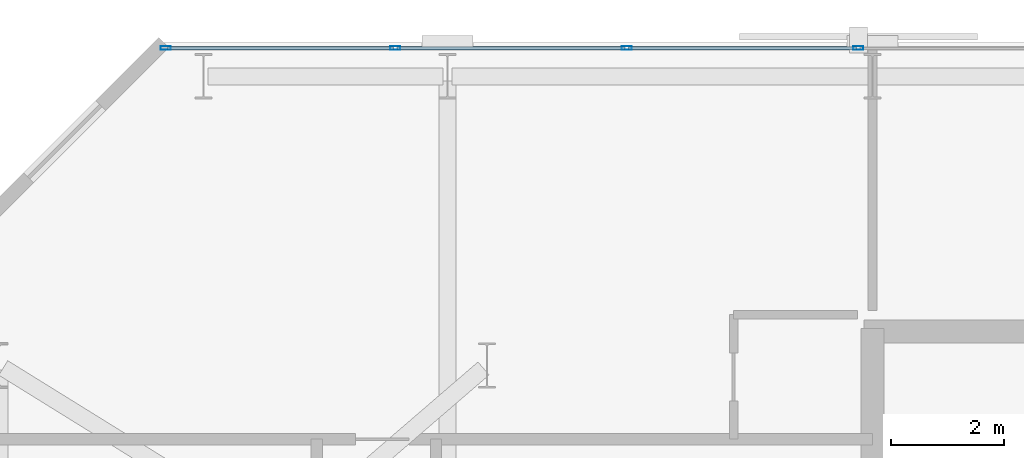
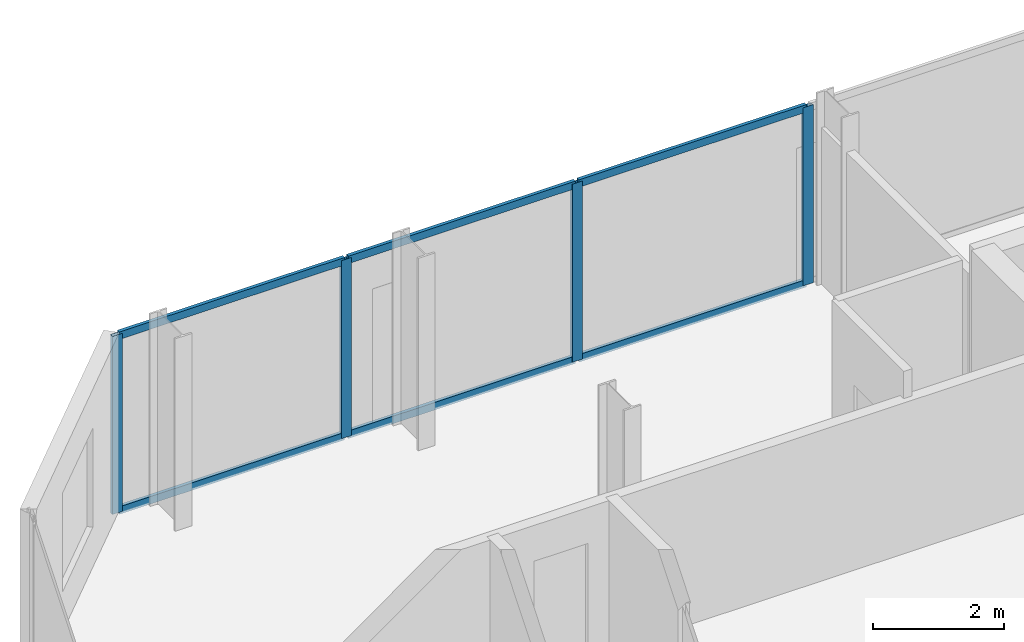
# One storey, part 21 of 32: 10 members, 1 element without a shape of its own.
"""IFC4 building model written with IfcOpenShell, lengths in metres."""

from ifc_helpers import new_model, si_unit, direction, frame, origin, origin_2d, place, context, subcontext, project, spatial, hollow_rectangle, extrude, material, layer, layer_set, material_profile, profile_set, type_object, element, aggregate, save


model = new_model("IFC4")

# Units and contexts
model_context = context("Model", 3, precision=1e-05, world=origin(), true_north=direction((0.0, 1.0)))
body_context = subcontext(model_context, "Body", "Model", "MODEL_VIEW")
ifc_project = project(units=[si_unit("LENGTHUNIT", "METRE"), si_unit("AREAUNIT", "SQUARE_METRE"), si_unit("VOLUMEUNIT", "CUBIC_METRE"), si_unit("PLANEANGLEUNIT", "RADIAN"), si_unit("MASSUNIT", "GRAM", prefix="KILO")], contexts=[model_context])

# Site, building, storey
site_placement = place(None, origin())
site = spatial("IfcSite", under=ifc_project, at=site_placement, CompositionType="ELEMENT")
building_placement = place(site_placement, origin())
building = spatial("IfcBuilding", under=site, at=building_placement, Name="Catumbela Crestline Tower", CompositionType="ELEMENT")
storey_placement = place(building_placement, frame((0.0, 0.0, 61.8)))
storey = spatial("IfcBuildingStorey", under=building, at=storey_placement, Name="L15", CompositionType="ELEMENT", Elevation=61.8)

# Curtain wall, members
ifc_material = material(Name="Aluminium alloy AW-6060-T66", Category="aluminium")
ifc_layer = layer(ifc_material, 0.18, Name="Aluminium alloy AW-6060-T66")
ifc_layer_set = layer_set([ifc_layer], Name="Aluminium alloy AW-6060-T66")
curtain_wall_type = type_object("IfcCurtainWallType", Name="CWU-Z1", PredefinedType="USERDEFINED", material=ifc_layer_set)
curtain_wall_placement = place(storey_placement, origin())
curtain_wall = element("IfcCurtainWall", 1, at=curtain_wall_placement, inside=storey, type_object=curtain_wall_type, Name="L15 Unitised Curtain Wall CW-L15-E7S1", ObjectType="UNITISED", PredefinedType="USERDEFINED")
ifc_material_profile_1 = material_profile(ifc_material, hollow_rectangle(XDim=0.065, YDim=0.18, WallThickness=0.004, at=origin_2d()), Name="ALU 180x65x4")
ifc_profile_set_1 = profile_set([ifc_material_profile_1], Name="Aluminium alloy AW-6060-T66")
member_type_1 = type_object("IfcMemberType", Name="MUL-180X65", PredefinedType="MULLION", material=ifc_profile_set_1)
member_1_placement = place(storey_placement, frame((15.75, 47.9, 0.0), z_axis=(0.0, 0.0, 1.0), x_axis=(0.0, -1.0, 0.0)))
member_1 = element("IfcMember", 2, at=member_1_placement, type_object=member_type_1, Name="CWU-Z1 mullion 10", PredefinedType="MULLION", context=body_context, shape_type="SweptSolid", body=[
    extrude(hollow_rectangle(XDim=0.065, YDim=0.18, WallThickness=0.004, at=origin_2d()), origin(), (0.0, 0.0, 1.0), 3.33),
])
member_2_placement = place(storey_placement, frame((11.6667, 47.9, 0.0), z_axis=(0.0, 0.0, 1.0), x_axis=(0.0, -1.0, 0.0)))
member_2 = element("IfcMember", 3, at=member_2_placement, type_object=member_type_1, Name="CWU-Z1 mullion 11", PredefinedType="MULLION", context=body_context, shape_type="SweptSolid", body=[
    extrude(hollow_rectangle(XDim=0.065, YDim=0.18, WallThickness=0.004, at=origin_2d()), origin(), (0.0, 0.0, 1.0), 3.33),
])
member_3_placement = place(storey_placement, frame((7.5833, 47.9, 0.0), z_axis=(0.0, 0.0, 1.0), x_axis=(0.0, -1.0, 0.0)))
member_3 = element("IfcMember", 4, at=member_3_placement, type_object=member_type_1, Name="CWU-Z1 mullion 12", PredefinedType="MULLION", context=body_context, shape_type="SweptSolid", body=[
    extrude(hollow_rectangle(XDim=0.065, YDim=0.18, WallThickness=0.004, at=origin_2d()), origin(), (0.0, 0.0, 1.0), 3.33),
])
member_4_placement = place(storey_placement, frame((3.5325, 47.9, 0.0), z_axis=(0.0, 0.0, 1.0), x_axis=(0.0, -1.0, 0.0)))
member_4 = element("IfcMember", 5, at=member_4_placement, type_object=member_type_1, Name="CWU-Z1 mullion 13", PredefinedType="MULLION", context=body_context, shape_type="SweptSolid", body=[
    extrude(hollow_rectangle(XDim=0.065, YDim=0.18, WallThickness=0.004, at=origin_2d()), origin(), (0.0, 0.0, 1.0), 3.33),
])
ifc_material_profile_2 = material_profile(ifc_material, hollow_rectangle(XDim=0.06, YDim=0.14, WallThickness=0.004, at=origin_2d()), Name="ALU 140x60x4")
ifc_profile_set_2 = profile_set([ifc_material_profile_2], Name="Aluminium alloy AW-6060-T66")
member_type_2 = type_object("IfcMemberType", Name="TRN-140X60", PredefinedType="USERDEFINED", material=ifc_profile_set_2)
member_5_placement = place(storey_placement, frame((15.7175, 47.9, 0.03), z_axis=(-1.0, 0.0, 0.0), x_axis=(0.0, -1.0, 0.0)))
member_5 = element("IfcMember", 6, at=member_5_placement, type_object=member_type_2, Name="CWU-Z1 transom 10.1", ObjectType="TRANSOM", PredefinedType="USERDEFINED", context=body_context, shape_type="SweptSolid", body=[
    extrude(hollow_rectangle(XDim=0.06, YDim=0.14, WallThickness=0.004, at=origin_2d()), origin(), (0.0, 0.0, 1.0), 4.0183),
])
member_6_placement = place(storey_placement, frame((15.7175, 47.9, 3.3), z_axis=(-1.0, 0.0, 0.0), x_axis=(0.0, -1.0, 0.0)))
member_6 = element("IfcMember", 7, at=member_6_placement, type_object=member_type_2, Name="CWU-Z1 transom 10.2", ObjectType="TRANSOM", PredefinedType="USERDEFINED", context=body_context, shape_type="SweptSolid", body=[
    extrude(hollow_rectangle(XDim=0.06, YDim=0.14, WallThickness=0.004, at=origin_2d()), origin(), (0.0, 0.0, 1.0), 4.0183),
])
member_7_placement = place(storey_placement, frame((11.6342, 47.9, 0.03), z_axis=(-1.0, 0.0, 0.0), x_axis=(0.0, -1.0, 0.0)))
member_7 = element("IfcMember", 8, at=member_7_placement, type_object=member_type_2, Name="CWU-Z1 transom 11.1", ObjectType="TRANSOM", PredefinedType="USERDEFINED", context=body_context, shape_type="SweptSolid", body=[
    extrude(hollow_rectangle(XDim=0.06, YDim=0.14, WallThickness=0.004, at=origin_2d()), origin(), (0.0, 0.0, 1.0), 4.0184),
])
member_8_placement = place(storey_placement, frame((11.6342, 47.9, 3.3), z_axis=(-1.0, 0.0, 0.0), x_axis=(0.0, -1.0, 0.0)))
member_8 = element("IfcMember", 9, at=member_8_placement, type_object=member_type_2, Name="CWU-Z1 transom 11.2", ObjectType="TRANSOM", PredefinedType="USERDEFINED", context=body_context, shape_type="SweptSolid", body=[
    extrude(hollow_rectangle(XDim=0.06, YDim=0.14, WallThickness=0.004, at=origin_2d()), origin(), (0.0, 0.0, 1.0), 4.0184),
])
member_9_placement = place(storey_placement, frame((7.5508, 47.9, 0.03), z_axis=(-1.0, 0.0, 0.0), x_axis=(0.0, -1.0, 0.0)))
member_9 = element("IfcMember", 10, at=member_9_placement, type_object=member_type_2, Name="CWU-Z1 transom 12.1", ObjectType="TRANSOM", PredefinedType="USERDEFINED", context=body_context, shape_type="SweptSolid", body=[
    extrude(hollow_rectangle(XDim=0.06, YDim=0.14, WallThickness=0.004, at=origin_2d()), origin(), (0.0, 0.0, 1.0), 3.9858),
])
member_10_placement = place(storey_placement, frame((7.5508, 47.9, 3.3), z_axis=(-1.0, 0.0, 0.0), x_axis=(0.0, -1.0, 0.0)))
member_10 = element("IfcMember", 11, at=member_10_placement, type_object=member_type_2, Name="CWU-Z1 transom 12.2", ObjectType="TRANSOM", PredefinedType="USERDEFINED", context=body_context, shape_type="SweptSolid", body=[
    extrude(hollow_rectangle(XDim=0.06, YDim=0.14, WallThickness=0.004, at=origin_2d()), origin(), (0.0, 0.0, 1.0), 3.9858),
])
aggregate(curtain_wall, [member_1, member_2, member_3, member_4, member_5, member_6, member_7, member_8, member_9, member_10])

save(model, "model.ifc")
